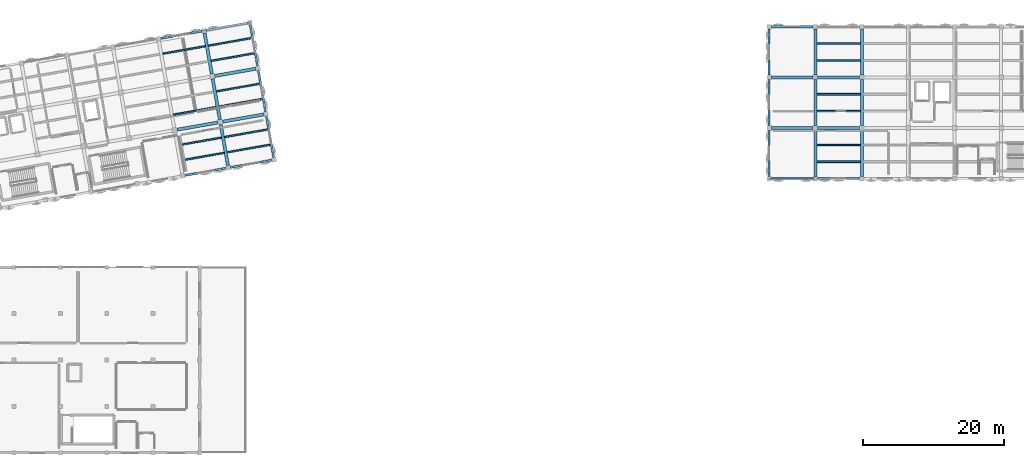
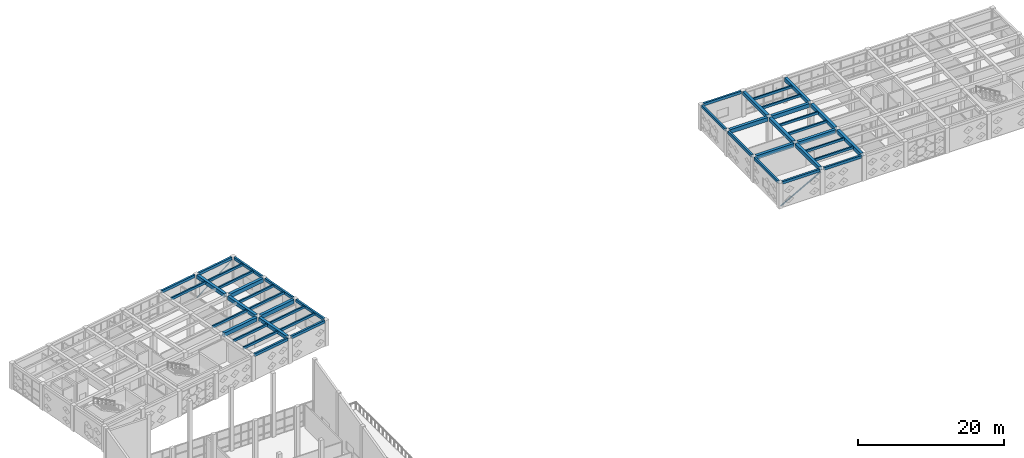
# One storey, part 11 of 39: 45 beams, 2 members.
"""IFC4 building model written with IfcOpenShell, lengths in metres."""

from ifc_helpers import new_model, si_unit, direction, frame, origin, origin_2d, place, context, subcontext, project, spatial, rectangle, hollow_circle, extrude, material, material_profile, profile_set, type_object, element, save


model = new_model("IFC4")

# Units and contexts
model_context = context("Model", 3, precision=1e-05, world=origin(), true_north=direction((0.0, 1.0)))
body_context = subcontext(model_context, "Body", "Model", "MODEL_VIEW")
ifc_project = project(units=[si_unit("LENGTHUNIT", "METRE"), si_unit("AREAUNIT", "SQUARE_METRE"), si_unit("VOLUMEUNIT", "CUBIC_METRE"), si_unit("PLANEANGLEUNIT", "RADIAN"), si_unit("MASSUNIT", "GRAM", prefix="KILO")], contexts=[model_context])

# Site, building, storey
site_placement = place(None, origin())
site = spatial("IfcSite", under=ifc_project, at=site_placement, CompositionType="ELEMENT")
building_placement = place(site_placement, origin())
building = spatial("IfcBuilding", under=site, at=building_placement, Name="Kharisveld Research Institute", CompositionType="ELEMENT")
storey_placement = place(building_placement, frame((0.0, 0.0, 18.60009765625)))
storey = spatial("IfcBuildingStorey", under=building, at=storey_placement, Name="L04", CompositionType="ELEMENT", Elevation=18.60009765625)

# Beams
ifc_material_1 = material(Name="Concrete C40/50", Category="concrete")
ifc_material_profile_1 = material_profile(ifc_material_1, rectangle(XDim=0.449951171875, YDim=0.60009765625, at=origin_2d()))
ifc_profile_set_1 = profile_set([ifc_material_profile_1], Name="Concrete C40/50")
beam_type_1 = type_object("IfcBeamType", Name="BM_RC_450x600", PredefinedType="BEAM", material=ifc_profile_set_1)
beam_1_placement = place(storey_placement, frame((37.642333984375, 41.060546875, 4.02001953125), z_axis=(-0.173679554678, 0.984802219883, 0.0), x_axis=(-0.984802219883, -0.173679554678, 0.0)))
element("IfcBeam", 1, at=beam_1_placement, inside=storey, type_object=beam_type_1, Name="BM:V1:L04:V5_0", PredefinedType="BEAM", context=body_context, shape_type="SweptSolid", body=[
    extrude(rectangle(XDim=0.449951171875, YDim=0.60009765625, at=origin_2d()), origin(), (0.0, 0.0, 1.0), 5.925048828125),
])
beam_2_placement = place(storey_placement, frame((36.49169921875, 47.584716796875, 4.02001953125), z_axis=(-0.173624815763, 0.98481187206, 0.0), x_axis=(-0.98481187206, -0.173624815763, 0.0)))
element("IfcBeam", 2, at=beam_2_placement, inside=storey, type_object=beam_type_1, Name="BM:V1:L04:V5_1", PredefinedType="BEAM", context=body_context, shape_type="SweptSolid", body=[
    extrude(rectangle(XDim=0.449951171875, YDim=0.60009765625, at=origin_2d()), origin(), (0.0, 0.0, 1.0), 5.900146484375),
])
beam_3_placement = place(storey_placement, frame((35.345703125, 54.08447265625, 4.02001953125), z_axis=(-0.173639592071, 0.984809266846, 0.0), x_axis=(-0.984809266846, -0.173639592071, 0.0)))
element("IfcBeam", 3, at=beam_3_placement, inside=storey, type_object=beam_type_1, Name="BM:V1:L04:V5_2", PredefinedType="BEAM", context=body_context, shape_type="SweptSolid", body=[
    extrude(rectangle(XDim=0.449951171875, YDim=0.60009765625, at=origin_2d()), origin(), (0.0, 0.0, 1.0), 5.925048828125),
])
beam_4_placement = place(storey_placement, frame((121.199951171875, 39.52490234375, 4.0), z_axis=(0.0, 1.0, 0.0), x_axis=(-1.0, 0.0, 0.0)))
element("IfcBeam", 4, at=beam_4_placement, inside=storey, type_object=beam_type_1, Name="BM:V2:L04:V1_0", PredefinedType="BEAM", context=body_context, shape_type="SweptSolid", body=[
    extrude(rectangle(XDim=0.449951171875, YDim=0.60009765625, at=origin_2d()), origin(), (0.0, 0.0, 1.0), 6.550048828125),
])
beam_5_placement = place(storey_placement, frame((121.199951171875, 46.72509765625, 4.0), z_axis=(0.0, 1.0, 0.0), x_axis=(-1.0, 0.0, 0.0)))
element("IfcBeam", 5, at=beam_5_placement, inside=storey, type_object=beam_type_1, Name="BM:V2:L04:V1_1", PredefinedType="BEAM", context=body_context, shape_type="SweptSolid", body=[
    extrude(rectangle(XDim=0.449951171875, YDim=0.60009765625, at=origin_2d()), origin(), (0.0, 0.0, 1.0), 6.5498046875),
])
for number, where, z_axis, x_axis, name in (
    (6, (121.199951171875, 53.925048828125, 4.0), (0.0, 1.0, 0.0), (-1.0, 0.0, 0.0), "BM:V2:L04:V1_2"),
    (7, (127.800048828125, 39.52490234375, 4.0), (0.0, 1.0, 0.0), (-1.0, 0.0, 0.0), "BM:V2:L04:V2_0"),
):
    element("IfcBeam", number, at=place(storey_placement, frame(where, z_axis=z_axis, x_axis=x_axis)), inside=storey, type_object=beam_type_1, Name=name, PredefinedType="BEAM", context=body_context, shape_type="SweptSolid", body=[
        extrude(rectangle(XDim=0.449951171875, YDim=0.60009765625, at=origin_2d()), origin(), (0.0, 0.0, 1.0), 6.550048828125),
    ])
beam_6_placement = place(storey_placement, frame((127.800048828125, 46.72509765625, 4.0), z_axis=(0.0, 1.0, 0.0), x_axis=(-1.0, 0.0, 0.0)))
element("IfcBeam", 8, at=beam_6_placement, inside=storey, type_object=beam_type_1, Name="BM:V2:L04:V2_1", PredefinedType="BEAM", context=body_context, shape_type="SweptSolid", body=[
    extrude(rectangle(XDim=0.449951171875, YDim=0.60009765625, at=origin_2d()), origin(), (0.0, 0.0, 1.0), 6.5498046875),
])
beam_7_placement = place(storey_placement, frame((127.800048828125, 53.925048828125, 4.0), z_axis=(0.0, 1.0, 0.0), x_axis=(-1.0, 0.0, 0.0)))
element("IfcBeam", 9, at=beam_7_placement, inside=storey, type_object=beam_type_1, Name="BM:V2:L04:V2_2", PredefinedType="BEAM", context=body_context, shape_type="SweptSolid", body=[
    extrude(rectangle(XDim=0.449951171875, YDim=0.60009765625, at=origin_2d()), origin(), (0.0, 0.0, 1.0), 6.550048828125),
])
ifc_material_2 = material(Name="Concrete C40/50", Category="concrete")
ifc_material_profile_2 = material_profile(ifc_material_2, rectangle(XDim=0.449951171875, YDim=0.64990234375, at=origin_2d()))
ifc_profile_set_2 = profile_set([ifc_material_profile_2], Name="Concrete C40/50")
beam_type_2 = type_object("IfcBeamType", Name="BM_RC_450x650", PredefinedType="BEAM", material=ifc_profile_set_2)
beam_8_placement = place(storey_placement, frame((30.3974609375, 46.15478515625, 3.994873046875), z_axis=(0.98480479605, 0.173664946598, 0.0), x_axis=(-0.173664946598, 0.98480479605, 0.0)))
element("IfcBeam", 10, at=beam_8_placement, inside=storey, type_object=beam_type_2, Name="BM:V1:L04:U4_1", PredefinedType="BEAM", context=body_context, shape_type="SweptSolid", body=[
    extrude(rectangle(XDim=0.449951171875, YDim=0.64990234375, at=origin_2d()), origin(), (0.0, 0.0, 1.0), 5.900146484375),
])
for number, where, z_axis, x_axis, name in (
    (11, (36.897216796875, 47.30078125, 3.994873046875), (0.984802219883, 0.173679554678, 0.0), (-0.173679554678, 0.984802219883, 0.0), "BM:V1:L04:U5_1"),
    (12, (35.751220703125, 53.800537109375, 3.994873046875), (0.984802219883, 0.173679554678, 0.0), (-0.173679554678, 0.984802219883, 0.0), "BM:V1:L04:U5_2"),
):
    element("IfcBeam", number, at=place(storey_placement, frame(where, z_axis=z_axis, x_axis=x_axis)), inside=storey, type_object=beam_type_2, Name=name, PredefinedType="BEAM", context=body_context, shape_type="SweptSolid", body=[
        extrude(rectangle(XDim=0.449951171875, YDim=0.64990234375, at=origin_2d()), origin(), (0.0, 0.0, 1.0), 5.925048828125),
    ])
beam_9_placement = place(storey_placement, frame((114.925048828125, 46.39990234375, 3.974853515625), z_axis=(1.0, 0.0, 0.0), x_axis=(0.0, 1.0, 0.0)))
element("IfcBeam", 13, at=beam_9_placement, inside=storey, type_object=beam_type_2, Name="BM:V2:L04:U0_1", PredefinedType="BEAM", context=body_context, shape_type="SweptSolid", body=[
    extrude(rectangle(XDim=0.449951171875, YDim=0.64990234375, at=origin_2d()), origin(), (0.0, 0.0, 1.0), 5.949951171875),
])
beam_10_placement = place(storey_placement, frame((121.52490234375, 46.39990234375, 3.974853515625), z_axis=(1.0, 0.0, 0.0), x_axis=(0.0, 1.0, 0.0)))
element("IfcBeam", 14, at=beam_10_placement, inside=storey, type_object=beam_type_2, Name="BM:V2:L04:U1_1", PredefinedType="BEAM", context=body_context, shape_type="SweptSolid", body=[
    extrude(rectangle(XDim=0.449951171875, YDim=0.64990234375, at=origin_2d()), origin(), (0.0, 0.0, 1.0), 5.9501953125),
])
beam_11_placement = place(storey_placement, frame((114.925048828125, 53.60009765625, 3.974853515625), z_axis=(1.0, 0.0, 0.0), x_axis=(0.0, 1.0, 0.0)))
element("IfcBeam", 15, at=beam_11_placement, inside=storey, type_object=beam_type_2, Name="BM:V2:L04:U0_2", PredefinedType="BEAM", context=body_context, shape_type="SweptSolid", body=[
    extrude(rectangle(XDim=0.449951171875, YDim=0.64990234375, at=origin_2d()), origin(), (0.0, 0.0, 1.0), 5.949951171875),
])
beam_12_placement = place(storey_placement, frame((121.52490234375, 53.60009765625, 3.974853515625), z_axis=(1.0, 0.0, 0.0), x_axis=(0.0, 1.0, 0.0)))
element("IfcBeam", 16, at=beam_12_placement, inside=storey, type_object=beam_type_2, Name="BM:V2:L04:U1_2", PredefinedType="BEAM", context=body_context, shape_type="SweptSolid", body=[
    extrude(rectangle(XDim=0.449951171875, YDim=0.64990234375, at=origin_2d()), origin(), (0.0, 0.0, 1.0), 5.9501953125),
])

# Members
ifc_material_3 = material(Name="Steel S355J2H", Category="steel")
ifc_material_profile_3 = material_profile(ifc_material_3, hollow_circle(Radius=0.084228515625, WallThickness=0.008056640625, at=origin_2d()))
ifc_profile_set_3 = profile_set([ifc_material_profile_3], Name="Steel S355J2H")
member_type_1 = type_object("IfcMemberType", Name="BR_CHS168", PredefinedType="BRACE", material=ifc_profile_set_3)
member_1_placement = place(storey_placement, frame((34.35888671875, 60.2568359375, 0.199951171875), z_axis=(0.860042392117, 0.151680082558, 0.48715524868), x_axis=(-0.173683053068, 0.984801602901, 0.0)))
element("IfcMember", 17, at=member_1_placement, inside=storey, type_object=member_type_1, Name="MEM:V1:L04:BR_5_3", PredefinedType="BRACE", context=body_context, shape_type="SweptSolid", body=[
    extrude(hollow_circle(Radius=0.084228515625, WallThickness=0.008056640625, at=origin_2d()), origin(), (0.0, 0.0, 1.0), 7.328369140625),
])
ifc_material_4 = material(Name="Steel S355J2H", Category="steel")
ifc_material_profile_4 = material_profile(ifc_material_4, hollow_circle(Radius=0.109619140625, WallThickness=0.010009765625, at=origin_2d()))
ifc_profile_set_4 = profile_set([ifc_material_profile_4], Name="Steel S355J2H")
member_type_2 = type_object("IfcMemberType", Name="BR_CHS219", PredefinedType="BRACE", material=ifc_profile_set_4)
member_2_placement = place(storey_placement, frame((114.699951171875, 39.199951171875, 0.199951171875), z_axis=(0.874481220931, 0.0, 0.48505937187), x_axis=(0.0, 1.0, 0.0)))
element("IfcMember", 18, at=member_2_placement, inside=storey, type_object=member_type_2, Name="MEM:V2:L04:BR_0_0", PredefinedType="BRACE", context=body_context, shape_type="SweptSolid", body=[
    extrude(hollow_circle(Radius=0.109619140625, WallThickness=0.010009765625, at=origin_2d()), origin(), (0.0, 0.0, 1.0), 7.31884765625),
])

# Beams
ifc_material_5 = material(Name="Concrete C40/50", Category="concrete")
ifc_material_profile_5 = material_profile(ifc_material_5, rectangle(XDim=0.300048828125, YDim=0.449951171875, at=origin_2d()))
ifc_profile_set_5 = profile_set([ifc_material_profile_5], Name="Concrete C40/50")
beam_type_3 = type_object("IfcBeamType", Name="SP_RC_300x450", PredefinedType="SPANDREL", material=ifc_profile_set_5)
for number, where, z_axis, x_axis, name in (
    (19, (31.51904296875, 39.650634765625, 4.094970703125), (0.984807920462, 0.173647228007, 0.0), (-0.173647228007, 0.984807920462, 0.0), "BM:V1:L04:U4_0"),
    (20, (38.018798828125, 40.796875, 4.094970703125), (0.984807920462, 0.173647228007, 0.0), (-0.173647228007, 0.984807920462, 0.0), "BM:V1:L04:U5_0"),
    (21, (28.080810546875, 59.14990234375, 4.094970703125), (0.984807920462, 0.173647228007, 0.0), (-0.173647228007, 0.984807920462, 0.0), "BM:V1:L04:U4_3"),
    (22, (34.58056640625, 60.2958984375, 4.094970703125), (0.984800902868, 0.173687022284, 0.0), (-0.173687022284, 0.984800902868, 0.0), "BM:V1:L04:U5_3"),
    (23, (44.141845703125, 42.20654296875, 4.094970703125), (-0.173647228007, 0.984807920462, 0.0), (-0.984807920462, -0.173647228007, 0.0), "BM:V1:L04:V6_0"),
    (24, (42.995849609375, 48.706298828125, 4.094970703125), (-0.173647228007, 0.984807920462, 0.0), (-0.984807920462, -0.173647228007, 0.0), "BM:V1:L04:V6_1"),
    (25, (41.849853515625, 55.2060546875, 4.094970703125), (-0.173647228007, 0.984807920462, 0.0), (-0.984807920462, -0.173647228007, 0.0), "BM:V1:L04:V6_2"),
    (26, (114.925048828125, 39.199951171875, 4.074951171875), (1.0, 0.0, 0.0), (0.0, 1.0, 0.0), "BM:V2:L04:U0_0"),
):
    element("IfcBeam", number, at=place(storey_placement, frame(where, z_axis=z_axis, x_axis=x_axis)), inside=storey, type_object=beam_type_3, Name=name, PredefinedType="SPANDREL", context=body_context, shape_type="SweptSolid", body=[
        extrude(rectangle(XDim=0.300048828125, YDim=0.449951171875, at=origin_2d()), origin(), (0.0, 0.0, 1.0), 5.949951171875),
    ])
beam_13_placement = place(storey_placement, frame((121.52490234375, 39.199951171875, 4.074951171875), z_axis=(1.0, 0.0, 0.0), x_axis=(0.0, 1.0, 0.0)))
element("IfcBeam", 27, at=beam_13_placement, inside=storey, type_object=beam_type_3, Name="BM:V2:L04:U1_0", PredefinedType="SPANDREL", context=body_context, shape_type="SweptSolid", body=[
    extrude(rectangle(XDim=0.300048828125, YDim=0.449951171875, at=origin_2d()), origin(), (0.0, 0.0, 1.0), 5.9501953125),
])
beam_14_placement = place(storey_placement, frame((114.925048828125, 60.800048828125, 4.074951171875), z_axis=(1.0, 0.0, 0.0), x_axis=(0.0, 1.0, 0.0)))
element("IfcBeam", 28, at=beam_14_placement, inside=storey, type_object=beam_type_3, Name="BM:V2:L04:U0_3", PredefinedType="SPANDREL", context=body_context, shape_type="SweptSolid", body=[
    extrude(rectangle(XDim=0.300048828125, YDim=0.449951171875, at=origin_2d()), origin(), (0.0, 0.0, 1.0), 5.949951171875),
])
beam_15_placement = place(storey_placement, frame((114.60009765625, 39.52490234375, 4.074951171875), z_axis=(0.0, 1.0, 0.0), x_axis=(-1.0, 0.0, 0.0)))
element("IfcBeam", 29, at=beam_15_placement, inside=storey, type_object=beam_type_3, Name="BM:V2:L04:V0_0", PredefinedType="SPANDREL", context=body_context, shape_type="SweptSolid", body=[
    extrude(rectangle(XDim=0.300048828125, YDim=0.449951171875, at=origin_2d()), origin(), (0.0, 0.0, 1.0), 6.550048828125),
])
beam_16_placement = place(storey_placement, frame((114.60009765625, 46.72509765625, 4.074951171875), z_axis=(0.0, 1.0, 0.0), x_axis=(-1.0, 0.0, 0.0)))
element("IfcBeam", 30, at=beam_16_placement, inside=storey, type_object=beam_type_3, Name="BM:V2:L04:V0_1", PredefinedType="SPANDREL", context=body_context, shape_type="SweptSolid", body=[
    extrude(rectangle(XDim=0.300048828125, YDim=0.449951171875, at=origin_2d()), origin(), (0.0, 0.0, 1.0), 6.5498046875),
])
beam_17_placement = place(storey_placement, frame((114.60009765625, 53.925048828125, 4.074951171875), z_axis=(0.0, 1.0, 0.0), x_axis=(-1.0, 0.0, 0.0)))
element("IfcBeam", 31, at=beam_17_placement, inside=storey, type_object=beam_type_3, Name="BM:V2:L04:V0_2", PredefinedType="SPANDREL", context=body_context, shape_type="SweptSolid", body=[
    extrude(rectangle(XDim=0.300048828125, YDim=0.449951171875, at=origin_2d()), origin(), (0.0, 0.0, 1.0), 6.550048828125),
])
ifc_material_6 = material(Name="Concrete C40/50", Category="concrete")
ifc_material_profile_6 = material_profile(ifc_material_6, rectangle(XDim=0.219970703125, YDim=0.39990234375, at=origin_2d()))
ifc_profile_set_6 = profile_set([ifc_material_profile_6], Name="Concrete C40/50")
beam_type_4 = type_object("IfcBeamType", Name="WB_RC_220x400", PredefinedType="JOIST", material=ifc_profile_set_6)
beam_18_placement = place(storey_placement, frame((31.03857421875, 41.800048828125, 4.119873046875), z_axis=(0.984808726596, 0.17364265611, 0.0), x_axis=(-0.17364265611, 0.984808726596, 0.0)))
element("IfcBeam", 32, at=beam_18_placement, inside=storey, type_object=beam_type_4, Name="BM:V1:L04:J_4_0_R1", PredefinedType="JOIST", context=body_context, shape_type="SweptSolid", body=[
    extrude(rectangle(XDim=0.219970703125, YDim=0.39990234375, at=origin_2d()), origin(), (0.0, 0.0, 1.0), 6.14990234375),
])
for number, where, z_axis, x_axis, name in (
    (33, (30.656494140625, 43.966552734375, 4.119873046875), (0.984809923515, 0.173635867682, 0.0), (-0.173635867682, 0.984809923515, 0.0), "BM:V1:L04:J_4_0_R2"),
    (34, (29.892333984375, 48.2998046875, 4.119873046875), (0.984809923515, 0.173635867682, 0.0), (-0.173635867682, 0.984809923515, 0.0), "BM:V1:L04:J_4_1_R1"),
    (35, (28.3642578125, 56.966064453125, 4.119873046875), (0.984809923515, 0.173635867682, 0.0), (-0.173635867682, 0.984809923515, 0.0), "BM:V1:L04:J_4_2_R2"),
):
    element("IfcBeam", number, at=place(storey_placement, frame(where, z_axis=z_axis, x_axis=x_axis)), inside=storey, type_object=beam_type_4, Name=name, PredefinedType="JOIST", context=body_context, shape_type="SweptSolid", body=[
        extrude(rectangle(XDim=0.219970703125, YDim=0.39990234375, at=origin_2d()), origin(), (0.0, 0.0, 1.0), 6.150146484375),
    ])
for number, where, z_axis, x_axis, name in (
    (36, (37.538330078125, 42.946044921875, 4.119873046875), (0.984804872144, 0.173664515088, 0.0), (-0.173664515088, 0.984804872144, 0.0), "BM:V1:L04:J_5_0_R1"),
    (37, (37.15625, 45.112548828125, 4.119873046875), (0.984804872144, 0.173664515088, 0.0), (-0.173664515088, 0.984804872144, 0.0), "BM:V1:L04:J_5_0_R2"),
    (38, (36.39208984375, 49.44580078125, 4.119873046875), (0.984811579018, 0.17362647791, 0.0), (-0.17362647791, 0.984811579018, 0.0), "BM:V1:L04:J_5_1_R1"),
):
    element("IfcBeam", number, at=place(storey_placement, frame(where, z_axis=z_axis, x_axis=x_axis)), inside=storey, type_object=beam_type_4, Name=name, PredefinedType="JOIST", context=body_context, shape_type="SweptSolid", body=[
        extrude(rectangle(XDim=0.219970703125, YDim=0.39990234375, at=origin_2d()), origin(), (0.0, 0.0, 1.0), 6.224853515625),
    ])
beam_19_placement = place(storey_placement, frame((36.010009765625, 51.6123046875, 4.119873046875), z_axis=(0.984806054915, 0.17365780778, 0.0), x_axis=(-0.17365780778, 0.984806054915, 0.0)))
element("IfcBeam", 39, at=beam_19_placement, inside=storey, type_object=beam_type_4, Name="BM:V1:L04:J_5_1_R2", PredefinedType="JOIST", context=body_context, shape_type="SweptSolid", body=[
    extrude(rectangle(XDim=0.219970703125, YDim=0.39990234375, at=origin_2d()), origin(), (0.0, 0.0, 1.0), 6.22509765625),
])
for number, where, z_axis, x_axis, name in (
    (40, (35.24609375, 55.945556640625, 4.119873046875), (0.984811579018, 0.17362647791, 0.0), (-0.17362647791, 0.984811579018, 0.0), "BM:V1:L04:J_5_2_R1"),
    (41, (34.864013671875, 58.112060546875, 4.119873046875), (0.984804872144, 0.173664515088, 0.0), (-0.173664515088, 0.984804872144, 0.0), "BM:V1:L04:J_5_2_R2"),
):
    element("IfcBeam", number, at=place(storey_placement, frame(where, z_axis=z_axis, x_axis=x_axis)), inside=storey, type_object=beam_type_4, Name=name, PredefinedType="JOIST", context=body_context, shape_type="SweptSolid", body=[
        extrude(rectangle(XDim=0.219970703125, YDim=0.39990234375, at=origin_2d()), origin(), (0.0, 0.0, 1.0), 6.224853515625),
    ])
for number, where, z_axis, x_axis, name in (
    (42, (121.425048828125, 41.60009765625, 4.099853515625), (1.0, 0.0, 0.0), (0.0, 1.0, 0.0), "BM:V2:L04:J_1_0_R1"),
    (43, (121.425048828125, 44.0, 4.099853515625), (1.0, 0.0, 0.0), (0.0, 1.0, 0.0), "BM:V2:L04:J_1_0_R2"),
    (44, (121.425048828125, 48.800048828125, 4.099853515625), (1.0, 0.0, 0.0), (0.0, 1.0, 0.0), "BM:V2:L04:J_1_1_R1"),
    (45, (121.425048828125, 51.199951171875, 4.099853515625), (1.0, 0.0, 0.0), (0.0, 1.0, 0.0), "BM:V2:L04:J_1_1_R2"),
    (46, (121.425048828125, 56.0, 4.099853515625), (1.0, 0.0, 0.0), (0.0, 1.0, 0.0), "BM:V2:L04:J_1_2_R1"),
    (47, (121.425048828125, 58.39990234375, 4.099853515625), (1.0, 0.0, 0.0), (0.0, 1.0, 0.0), "BM:V2:L04:J_1_2_R2"),
):
    element("IfcBeam", number, at=place(storey_placement, frame(where, z_axis=z_axis, x_axis=x_axis)), inside=storey, type_object=beam_type_4, Name=name, PredefinedType="JOIST", context=body_context, shape_type="SweptSolid", body=[
        extrude(rectangle(XDim=0.219970703125, YDim=0.39990234375, at=origin_2d()), origin(), (0.0, 0.0, 1.0), 6.14990234375),
    ])

save(model, "model.ifc")
